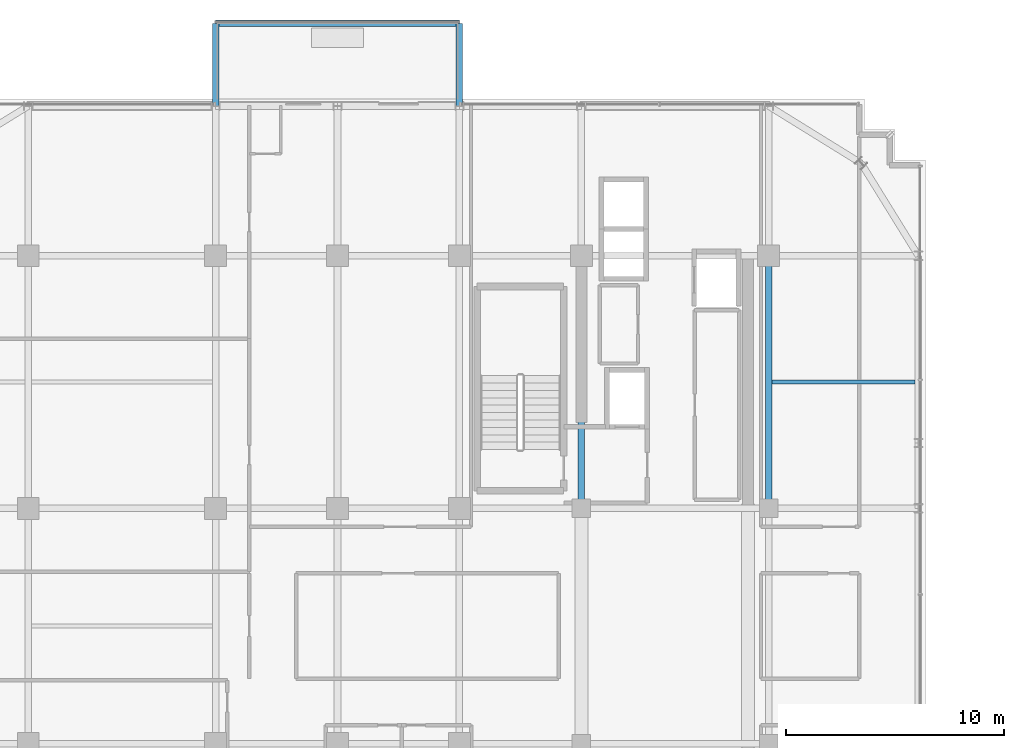
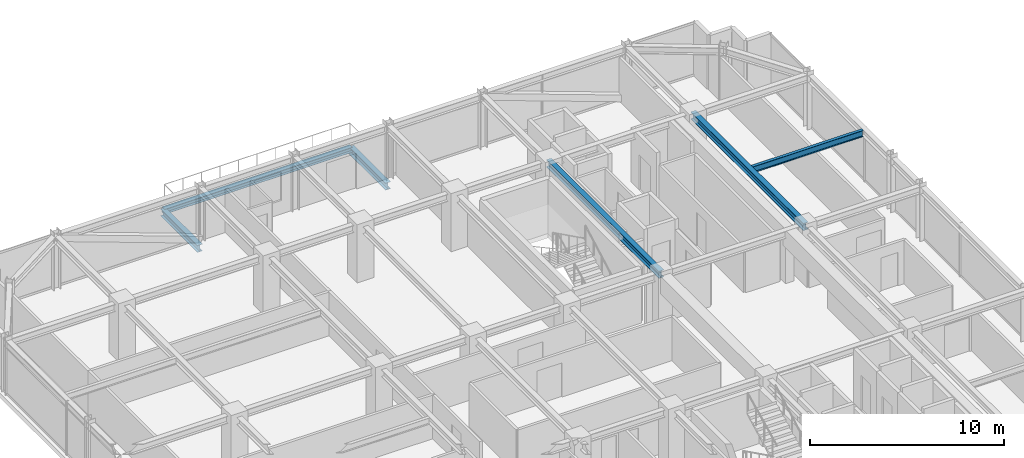
# One storey, part 24 of 42: 6 beams.
"""IFC4 building model written with IfcOpenShell, lengths in metres."""

from ifc_helpers import new_model, si_unit, direction, frame, origin, origin_2d, place, context, subcontext, project, spatial, i_section, extrude, source, transform, mapped, material, material_profile, profile_set, type_object, element, save


model = new_model("IFC4")

# Units and contexts
model_context = context("Model", 3, precision=1e-05, world=origin(), true_north=direction((0.0, 1.0)))
body_context = subcontext(model_context, "Body", "Model", "MODEL_VIEW")
ifc_project = project(units=[si_unit("LENGTHUNIT", "METRE"), si_unit("AREAUNIT", "SQUARE_METRE"), si_unit("VOLUMEUNIT", "CUBIC_METRE"), si_unit("PLANEANGLEUNIT", "RADIAN"), si_unit("MASSUNIT", "GRAM", prefix="KILO")], contexts=[model_context])

# Site, building, storey
site_placement = place(None, origin())
site = spatial("IfcSite", under=ifc_project, at=site_placement, CompositionType="ELEMENT")
building_placement = place(site_placement, origin())
building = spatial("IfcBuilding", under=site, at=building_placement, Name="Nahalor Promenade Grand Hotel", CompositionType="ELEMENT")
storey_placement = place(building_placement, frame((0.0, 0.0, 249.300048828125)))
storey = spatial("IfcBuildingStorey", under=building, at=storey_placement, Name="L64", CompositionType="ELEMENT", Elevation=249.300048828125)

# Beams
ifc_material = material(Name="Steel S355JR", Category="steel")
ifc_material_profile_1 = material_profile(ifc_material, i_section(OverallWidth=0.3, OverallDepth=0.32, WebThickness=0.0115, FlangeThickness=0.0205, at=origin_2d()), Name="HEB 320")
ifc_profile_set_1 = profile_set([ifc_material_profile_1], Name="Steel S355JR")
beam_type_1 = type_object("IfcBeamType", Name="Beam-BalcEdge-HEB320", PredefinedType="SPANDREL", material=ifc_profile_set_1)
shared_shape_1 = source(origin(), body_context, "Body", "SweptSolid", [
    extrude(i_section(OverallWidth=0.3, OverallDepth=0.32, WebThickness=0.0115, FlangeThickness=0.0205, at=origin_2d()), origin(), (0.0, 0.0, 1.0), 11.199951171875),
])
beam_1_placement = place(storey_placement, frame((-8.39990234375, 27.679931640625, -0.43994140625), z_axis=(1.0, 0.0, 0.0), x_axis=(0.0, 1.0, 0.0)))
element("IfcBeam", 1, at=beam_1_placement, inside=storey, type_object=beam_type_1, Name="BM-L64-BC-01-F", PredefinedType="SPANDREL", context=body_context, shape_type="MappedRepresentation", body=[
    mapped(shared_shape_1, transform((0.0, 0.0, 0.0), scale=1.0)),
])
ifc_material_profile_2 = material_profile(ifc_material, i_section(OverallWidth=0.3, OverallDepth=0.45, WebThickness=0.014, FlangeThickness=0.026, at=origin_2d()), Name="HEB 450")
ifc_profile_set_2 = profile_set([ifc_material_profile_2], Name="Steel S355JR")
beam_type_2 = type_object("IfcBeamType", Name="Beam-Outrigger-HEB450", PredefinedType="BEAM", material=ifc_profile_set_2)
shared_shape_2 = source(origin(), body_context, "Body", "SweptSolid", [
    extrude(i_section(OverallWidth=0.3, OverallDepth=0.45, WebThickness=0.014, FlangeThickness=0.026, at=origin_2d()), origin(), (0.0, 0.0, 1.0), 3.800048828125),
])
for number, where, z_axis, x_axis, name in (
    (2, (-8.39990234375, 23.8798828125, -0.505126953125), (0.0, 1.0, 0.0), (-1.0, 0.0, 0.0), "BM-L64-BC-01-1"),
    (3, (2.800048828125, 23.8798828125, -0.505126953125), (0.0, 1.0, 0.0), (-1.0, 0.0, 0.0), "BM-L64-BC-01-2"),
):
    element("IfcBeam", number, at=place(storey_placement, frame(where, z_axis=z_axis, x_axis=x_axis)), inside=storey, type_object=beam_type_2, Name=name, PredefinedType="BEAM", context=body_context, shape_type="MappedRepresentation", body=[
        mapped(shared_shape_2, transform((0.0, 0.0, 0.0), scale=1.0)),
    ])
ifc_material_profile_3 = material_profile(ifc_material, i_section(OverallWidth=0.3, OverallDepth=0.45, WebThickness=0.014, FlangeThickness=0.026, at=origin_2d()), Name="HEB 450")
ifc_profile_set_3 = profile_set([ifc_material_profile_3], Name="Steel S355JR")
beam_type_3 = type_object("IfcBeamType", Name="Beam-Girder-HEB450", PredefinedType="BEAM", material=ifc_profile_set_3)
shared_shape_3 = source(origin(), body_context, "Body", "SweptSolid", [
    extrude(i_section(OverallWidth=0.3, OverallDepth=0.45, WebThickness=0.014, FlangeThickness=0.026, at=origin_2d()), origin(), (0.0, 0.0, 1.0), 11.60009765625),
])
for number, where, z_axis, x_axis, name in (
    (4, (8.39990234375, 5.39990234375, 3.18505859375), (0.0, 1.0, 0.0), (-1.0, 0.0, 0.0), "BM-L64-GY-4-3"),
    (5, (17.0, 5.39990234375, 3.18505859375), (0.0, 1.0, 0.0), (-1.0, 0.0, 0.0), "BM-L64-GY-5-3"),
):
    element("IfcBeam", number, at=place(storey_placement, frame(where, z_axis=z_axis, x_axis=x_axis)), inside=storey, type_object=beam_type_3, Name=name, PredefinedType="BEAM", context=body_context, shape_type="MappedRepresentation", body=[
        mapped(shared_shape_3, transform((0.0, 0.0, 0.0), scale=1.0)),
    ])
ifc_material_profile_4 = material_profile(ifc_material, i_section(OverallWidth=0.18, OverallDepth=0.4, WebThickness=0.0086, FlangeThickness=0.0135, at=origin_2d()), Name="IPE 400")
ifc_profile_set_4 = profile_set([ifc_material_profile_4], Name="Steel S355JR")
beam_type_4 = type_object("IfcBeamType", Name="Beam-Joist-IPE400", PredefinedType="JOIST", material=ifc_profile_set_4)
shared_shape_4 = source(origin(), body_context, "Body", "SweptSolid", [
    extrude(i_section(OverallWidth=0.18, OverallDepth=0.4, WebThickness=0.0086, FlangeThickness=0.0135, at=origin_2d()), origin(), (0.0, 0.0, 1.0), 6.580078125),
])
beam_2_placement = place(storey_placement, frame((17.14990234375, 11.199951171875, 3.2099609375), z_axis=(1.0, 0.0, 0.0), x_axis=(0.0, 1.0, 0.0)))
element("IfcBeam", 6, at=beam_2_placement, inside=storey, type_object=beam_type_4, Name="BM-L64-JSE-1-2", PredefinedType="JOIST", context=body_context, shape_type="MappedRepresentation", body=[
    mapped(shared_shape_4, transform((0.0, 0.0, 0.0), scale=1.0)),
])

save(model, "model.ifc")
